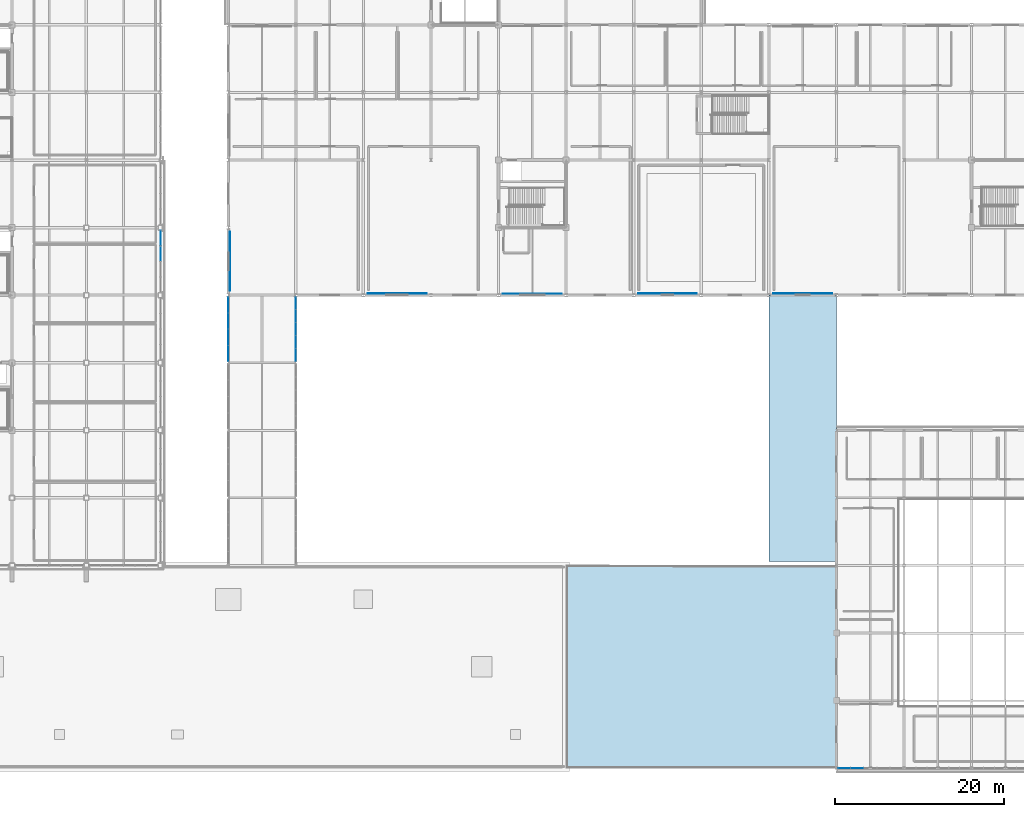
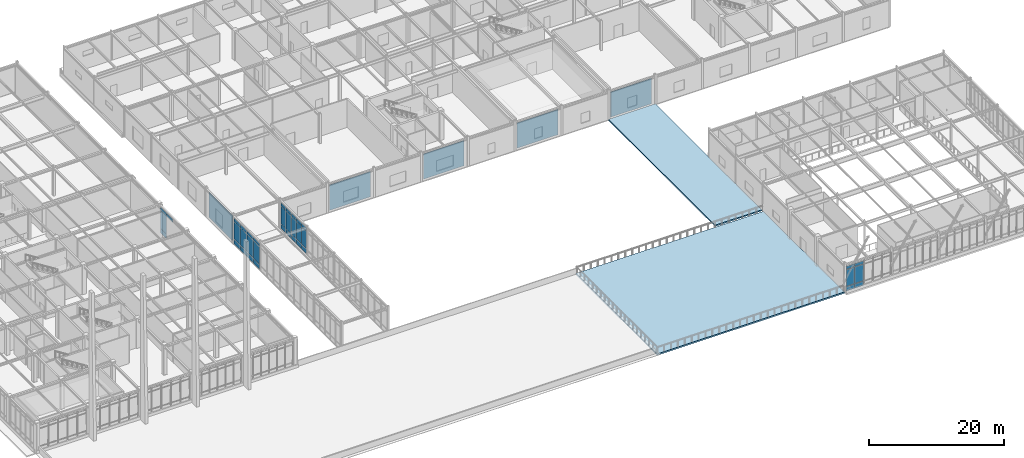
# One storey, part 63 of 108: 42 plates, 2 slabs, 4 elements without a shape of their own.
"""IFC4 building model written with IfcOpenShell, lengths in metres."""

from ifc_helpers import new_model, si_unit, direction, frame, origin, origin_2d, place, context, subcontext, project, spatial, polyline, rectangle, outline, extrude, material, layer, layer_set, type_object, element, aggregate, save


model = new_model("IFC4")

# Units and contexts
model_context = context("Model", 3, precision=1e-05, world=origin(), true_north=direction((0.0, 1.0)))
body_context = subcontext(model_context, "Body", "Model", "MODEL_VIEW")
ifc_project = project(units=[si_unit("LENGTHUNIT", "METRE"), si_unit("AREAUNIT", "SQUARE_METRE"), si_unit("VOLUMEUNIT", "CUBIC_METRE"), si_unit("PLANEANGLEUNIT", "RADIAN"), si_unit("MASSUNIT", "GRAM", prefix="KILO")], contexts=[model_context])

# Site, building, storey
site_placement = place(None, origin())
site = spatial("IfcSite", under=ifc_project, at=site_placement, CompositionType="ELEMENT")
building_placement = place(site_placement, origin())
building = spatial("IfcBuilding", under=site, at=building_placement, Name="Zhaolan Boulevard Law Courts", CompositionType="ELEMENT")
storey_placement = place(building_placement, frame((0.0, 0.0, 10.800048828125)))
storey = spatial("IfcBuildingStorey", under=building, at=storey_placement, Name="L02", CompositionType="ELEMENT", Elevation=10.800048828125)

# Curtain wall, plates
ifc_material_1 = material(Name="Thermally broken aluminium and low-E glazing", Category="aluminium")
curtain_wall_type_1 = type_object("IfcCurtainWallType", Name="CURTAIN WALL M10", PredefinedType="USERDEFINED", material=ifc_material_1)
curtain_wall_1_placement = place(storey_placement, origin())
curtain_wall_1 = element("IfcCurtainWall", 1, at=curtain_wall_1_placement, inside=storey, type_object=curtain_wall_type_1, Name="Curtain Wall CW-L02-082", ObjectType="CURTAIN WALL", PredefinedType="USERDEFINED")
ifc_material_2 = material(Name="Triple-silver low-E insulated glazing", Category="glass")
ifc_layer_1 = layer(ifc_material_2, 0.028076171875)
ifc_layer_set_1 = layer_set([ifc_layer_1])
plate_type_1 = type_object("IfcPlateType", Name="CWPANEL LOW E28", PredefinedType="CURTAIN_PANEL", material=ifc_layer_set_1)
plate_1_placement = place(storey_placement, frame((124.91796875, 6.0, 0.06494140625), z_axis=(0.0, 0.0, 1.0), x_axis=(1.0, 0.0, 0.0)))
plate_1 = element("IfcPlate", 2, at=plate_1_placement, type_object=plate_type_1, Name="CW-L02-082 panel 1.1", PredefinedType="CURTAIN_PANEL", context=body_context, shape_type="SweptSolid", body=[
    extrude(rectangle(XDim=1.45166015625, YDim=0.028076171875, at=origin_2d()), origin(), (0.0, 0.0, 1.0), 0.802490234375),
])
plate_2_placement = place(storey_placement, frame((124.91796875, 6.0, 0.9326171875), z_axis=(0.0, 0.0, 1.0), x_axis=(1.0, 0.0, 0.0)))
plate_2 = element("IfcPlate", 3, at=plate_2_placement, type_object=plate_type_1, Name="CW-L02-082 panel 1.2", PredefinedType="CURTAIN_PANEL", context=body_context, shape_type="SweptSolid", body=[
    extrude(rectangle(XDim=1.45166015625, YDim=0.028076171875, at=origin_2d()), origin(), (0.0, 0.0, 1.0), 2.988037109375),
])
plate_3_placement = place(storey_placement, frame((124.91796875, 6.0, 3.9853515625), z_axis=(0.0, 0.0, 1.0), x_axis=(1.0, 0.0, 0.0)))
plate_3 = element("IfcPlate", 4, at=plate_3_placement, type_object=plate_type_1, Name="CW-L02-082 panel 1.3", PredefinedType="CURTAIN_PANEL", context=body_context, shape_type="SweptSolid", body=[
    extrude(rectangle(XDim=1.45166015625, YDim=0.028076171875, at=origin_2d()), origin(), (0.0, 0.0, 1.0), 0.552490234375),
])
plate_4_placement = place(storey_placement, frame((126.45068359375, 6.0, 0.06494140625), z_axis=(0.0, 0.0, 1.0), x_axis=(1.0, 0.0, 0.0)))
plate_4 = element("IfcPlate", 5, at=plate_4_placement, type_object=plate_type_1, Name="CW-L02-082 panel 2.1", PredefinedType="CURTAIN_PANEL", context=body_context, shape_type="SweptSolid", body=[
    extrude(rectangle(XDim=1.484130859375, YDim=0.028076171875, at=origin_2d()), origin(), (0.0, 0.0, 1.0), 0.802490234375),
])
plate_5_placement = place(storey_placement, frame((126.45068359375, 6.0, 0.9326171875), z_axis=(0.0, 0.0, 1.0), x_axis=(1.0, 0.0, 0.0)))
plate_5 = element("IfcPlate", 6, at=plate_5_placement, type_object=plate_type_1, Name="CW-L02-082 panel 2.2", PredefinedType="CURTAIN_PANEL", context=body_context, shape_type="SweptSolid", body=[
    extrude(rectangle(XDim=1.484130859375, YDim=0.028076171875, at=origin_2d()), origin(), (0.0, 0.0, 1.0), 2.988037109375),
])
plate_6_placement = place(storey_placement, frame((126.45068359375, 6.0, 3.9853515625), z_axis=(0.0, 0.0, 1.0), x_axis=(1.0, 0.0, 0.0)))
plate_6 = element("IfcPlate", 7, at=plate_6_placement, type_object=plate_type_1, Name="CW-L02-082 panel 2.3", PredefinedType="CURTAIN_PANEL", context=body_context, shape_type="SweptSolid", body=[
    extrude(rectangle(XDim=1.484130859375, YDim=0.028076171875, at=origin_2d()), origin(), (0.0, 0.0, 1.0), 0.552490234375),
])
aggregate(curtain_wall_1, [plate_1, plate_2, plate_3, plate_4, plate_5, plate_6])

ifc_material_3 = material(Name="Thermally broken aluminium and low-E glazing", Category="aluminium")
curtain_wall_type_2 = type_object("IfcCurtainWallType", Name="CURTAIN WALL M23", PredefinedType="USERDEFINED", material=ifc_material_3)
curtain_wall_2_placement = place(storey_placement, origin())
curtain_wall_2 = element("IfcCurtainWall", 8, at=curtain_wall_2_placement, inside=storey, type_object=curtain_wall_type_2, Name="Curtain Wall CW-L02-095", ObjectType="CURTAIN WALL", PredefinedType="USERDEFINED")
plate_7_placement = place(storey_placement, frame((52.0, 60.8447265625, 0.06494140625), z_axis=(0.0, 0.0, 1.0), x_axis=(0.0, -1.0, 0.0)))
plate_7 = element("IfcPlate", 9, at=plate_7_placement, type_object=plate_type_1, Name="CW-L02-095 panel 1.1", PredefinedType="CURTAIN_PANEL", context=body_context, shape_type="SweptSolid", body=[
    extrude(rectangle(XDim=1.826416015625, YDim=0.028076171875, at=origin_2d()), origin(), (0.0, 0.0, 1.0), 0.802490234375),
])
plate_8_placement = place(storey_placement, frame((52.0, 60.8447265625, 0.932373046875), z_axis=(0.0, 0.0, 1.0), x_axis=(0.0, -1.0, 0.0)))
plate_8 = element("IfcPlate", 10, at=plate_8_placement, type_object=plate_type_1, Name="CW-L02-095 panel 1.2", PredefinedType="CURTAIN_PANEL", context=body_context, shape_type="SweptSolid", body=[
    extrude(rectangle(XDim=1.826416015625, YDim=0.028076171875, at=origin_2d()), origin(), (0.0, 0.0, 1.0), 3.16796875),
])
plate_9_placement = place(storey_placement, frame((52.0, 60.8447265625, 4.16552734375), z_axis=(0.0, 0.0, 1.0), x_axis=(0.0, -1.0, 0.0)))
plate_9 = element("IfcPlate", 11, at=plate_9_placement, type_object=plate_type_1, Name="CW-L02-095 panel 1.3", PredefinedType="CURTAIN_PANEL", context=body_context, shape_type="SweptSolid", body=[
    extrude(rectangle(XDim=1.826416015625, YDim=0.028076171875, at=origin_2d()), origin(), (0.0, 0.0, 1.0), 0.552490234375),
])
plate_10_placement = place(storey_placement, frame((52.0, 58.93701171875, 0.06494140625), z_axis=(0.0, 0.0, 1.0), x_axis=(0.0, -1.0, 0.0)))
plate_10 = element("IfcPlate", 12, at=plate_10_placement, type_object=plate_type_1, Name="CW-L02-095 panel 2.1", PredefinedType="CURTAIN_PANEL", context=body_context, shape_type="SweptSolid", body=[
    extrude(rectangle(XDim=1.85888671875, YDim=0.028076171875, at=origin_2d()), origin(), (0.0, 0.0, 1.0), 0.802490234375),
])
plate_11_placement = place(storey_placement, frame((52.0, 58.93701171875, 0.932373046875), z_axis=(0.0, 0.0, 1.0), x_axis=(0.0, -1.0, 0.0)))
plate_11 = element("IfcPlate", 13, at=plate_11_placement, type_object=plate_type_1, Name="CW-L02-095 panel 2.2", PredefinedType="CURTAIN_PANEL", context=body_context, shape_type="SweptSolid", body=[
    extrude(rectangle(XDim=1.85888671875, YDim=0.028076171875, at=origin_2d()), origin(), (0.0, 0.0, 1.0), 3.16796875),
])
plate_12_placement = place(storey_placement, frame((52.0, 58.93701171875, 4.16552734375), z_axis=(0.0, 0.0, 1.0), x_axis=(0.0, -1.0, 0.0)))
plate_12 = element("IfcPlate", 14, at=plate_12_placement, type_object=plate_type_1, Name="CW-L02-095 panel 2.3", PredefinedType="CURTAIN_PANEL", context=body_context, shape_type="SweptSolid", body=[
    extrude(rectangle(XDim=1.85888671875, YDim=0.028076171875, at=origin_2d()), origin(), (0.0, 0.0, 1.0), 0.552490234375),
])
plate_13_placement = place(storey_placement, frame((52.0, 57.012939453125, 0.06494140625), z_axis=(0.0, 0.0, 1.0), x_axis=(0.0, -1.0, 0.0)))
plate_13 = element("IfcPlate", 15, at=plate_13_placement, type_object=plate_type_1, Name="CW-L02-095 panel 3.1", PredefinedType="CURTAIN_PANEL", context=body_context, shape_type="SweptSolid", body=[
    extrude(rectangle(XDim=1.85888671875, YDim=0.028076171875, at=origin_2d()), origin(), (0.0, 0.0, 1.0), 0.802490234375),
])
plate_14_placement = place(storey_placement, frame((52.0, 57.012939453125, 0.932373046875), z_axis=(0.0, 0.0, 1.0), x_axis=(0.0, -1.0, 0.0)))
plate_14 = element("IfcPlate", 16, at=plate_14_placement, type_object=plate_type_1, Name="CW-L02-095 panel 3.2", PredefinedType="CURTAIN_PANEL", context=body_context, shape_type="SweptSolid", body=[
    extrude(rectangle(XDim=1.85888671875, YDim=0.028076171875, at=origin_2d()), origin(), (0.0, 0.0, 1.0), 3.16796875),
])
plate_15_placement = place(storey_placement, frame((52.0, 57.012939453125, 4.16552734375), z_axis=(0.0, 0.0, 1.0), x_axis=(0.0, -1.0, 0.0)))
plate_15 = element("IfcPlate", 17, at=plate_15_placement, type_object=plate_type_1, Name="CW-L02-095 panel 3.3", PredefinedType="CURTAIN_PANEL", context=body_context, shape_type="SweptSolid", body=[
    extrude(rectangle(XDim=1.85888671875, YDim=0.028076171875, at=origin_2d()), origin(), (0.0, 0.0, 1.0), 0.552490234375),
])
plate_16_placement = place(storey_placement, frame((52.0, 55.105224609375, 0.06494140625), z_axis=(0.0, 0.0, 1.0), x_axis=(0.0, -1.0, 0.0)))
plate_16 = element("IfcPlate", 18, at=plate_16_placement, type_object=plate_type_1, Name="CW-L02-095 panel 4.1", PredefinedType="CURTAIN_PANEL", context=body_context, shape_type="SweptSolid", body=[
    extrude(rectangle(XDim=1.826416015625, YDim=0.028076171875, at=origin_2d()), origin(), (0.0, 0.0, 1.0), 0.802490234375),
])
plate_17_placement = place(storey_placement, frame((52.0, 55.105224609375, 0.932373046875), z_axis=(0.0, 0.0, 1.0), x_axis=(0.0, -1.0, 0.0)))
plate_17 = element("IfcPlate", 19, at=plate_17_placement, type_object=plate_type_1, Name="CW-L02-095 panel 4.2", PredefinedType="CURTAIN_PANEL", context=body_context, shape_type="SweptSolid", body=[
    extrude(rectangle(XDim=1.826416015625, YDim=0.028076171875, at=origin_2d()), origin(), (0.0, 0.0, 1.0), 3.16796875),
])
plate_18_placement = place(storey_placement, frame((52.0, 55.105224609375, 4.16552734375), z_axis=(0.0, 0.0, 1.0), x_axis=(0.0, -1.0, 0.0)))
plate_18 = element("IfcPlate", 20, at=plate_18_placement, type_object=plate_type_1, Name="CW-L02-095 panel 4.3", PredefinedType="CURTAIN_PANEL", context=body_context, shape_type="SweptSolid", body=[
    extrude(rectangle(XDim=1.826416015625, YDim=0.028076171875, at=origin_2d()), origin(), (0.0, 0.0, 1.0), 0.552490234375),
])
aggregate(curtain_wall_2, [plate_7, plate_8, plate_9, plate_10, plate_11, plate_12, plate_13, plate_14, plate_15, plate_16, plate_17, plate_18])

ifc_material_4 = material(Name="Thermally broken aluminium and low-E glazing", Category="aluminium")
curtain_wall_type_3 = type_object("IfcCurtainWallType", Name="CURTAIN WALL M3", PredefinedType="USERDEFINED", material=ifc_material_4)
curtain_wall_3_placement = place(storey_placement, origin())
curtain_wall_3 = element("IfcCurtainWall", 21, at=curtain_wall_3_placement, inside=storey, type_object=curtain_wall_type_3, Name="Curtain Wall CW-L02-099", ObjectType="CURTAIN WALL", PredefinedType="USERDEFINED")
plate_19_placement = place(storey_placement, frame((60.0, 54.912841796875, 0.06494140625), z_axis=(0.0, 0.0, 1.0), x_axis=(0.0, 1.0, 0.0)))
plate_19 = element("IfcPlate", 22, at=plate_19_placement, type_object=plate_type_1, Name="CW-L02-099 panel 1.1", PredefinedType="CURTAIN_PANEL", context=body_context, shape_type="SweptSolid", body=[
    extrude(rectangle(XDim=1.441650390625, YDim=0.028076171875, at=origin_2d()), origin(), (0.0, 0.0, 1.0), 0.802490234375),
])
plate_20_placement = place(storey_placement, frame((60.0, 54.912841796875, 0.932373046875), z_axis=(0.0, 0.0, 1.0), x_axis=(0.0, 1.0, 0.0)))
plate_20 = element("IfcPlate", 23, at=plate_20_placement, type_object=plate_type_1, Name="CW-L02-099 panel 1.2", PredefinedType="CURTAIN_PANEL", context=body_context, shape_type="SweptSolid", body=[
    extrude(rectangle(XDim=1.441650390625, YDim=0.028076171875, at=origin_2d()), origin(), (0.0, 0.0, 1.0), 3.16796875),
])
plate_21_placement = place(storey_placement, frame((60.0, 54.912841796875, 4.16552734375), z_axis=(0.0, 0.0, 1.0), x_axis=(0.0, 1.0, 0.0)))
plate_21 = element("IfcPlate", 24, at=plate_21_placement, type_object=plate_type_1, Name="CW-L02-099 panel 1.3", PredefinedType="CURTAIN_PANEL", context=body_context, shape_type="SweptSolid", body=[
    extrude(rectangle(XDim=1.441650390625, YDim=0.028076171875, at=origin_2d()), origin(), (0.0, 0.0, 1.0), 0.552490234375),
])
plate_22_placement = place(storey_placement, frame((60.0, 56.435791015625, 0.06494140625), z_axis=(0.0, 0.0, 1.0), x_axis=(0.0, 1.0, 0.0)))
plate_22 = element("IfcPlate", 25, at=plate_22_placement, type_object=plate_type_1, Name="CW-L02-099 panel 2.1", PredefinedType="CURTAIN_PANEL", context=body_context, shape_type="SweptSolid", body=[
    extrude(rectangle(XDim=1.47412109375, YDim=0.028076171875, at=origin_2d()), origin(), (0.0, 0.0, 1.0), 0.802490234375),
])
plate_23_placement = place(storey_placement, frame((60.0, 56.435791015625, 0.932373046875), z_axis=(0.0, 0.0, 1.0), x_axis=(0.0, 1.0, 0.0)))
plate_23 = element("IfcPlate", 26, at=plate_23_placement, type_object=plate_type_1, Name="CW-L02-099 panel 2.2", PredefinedType="CURTAIN_PANEL", context=body_context, shape_type="SweptSolid", body=[
    extrude(rectangle(XDim=1.47412109375, YDim=0.028076171875, at=origin_2d()), origin(), (0.0, 0.0, 1.0), 3.16796875),
])
plate_24_placement = place(storey_placement, frame((60.0, 56.435791015625, 4.16552734375), z_axis=(0.0, 0.0, 1.0), x_axis=(0.0, 1.0, 0.0)))
plate_24 = element("IfcPlate", 27, at=plate_24_placement, type_object=plate_type_1, Name="CW-L02-099 panel 2.3", PredefinedType="CURTAIN_PANEL", context=body_context, shape_type="SweptSolid", body=[
    extrude(rectangle(XDim=1.47412109375, YDim=0.028076171875, at=origin_2d()), origin(), (0.0, 0.0, 1.0), 0.552490234375),
])
plate_25_placement = place(storey_placement, frame((60.0, 57.97509765625, 0.06494140625), z_axis=(0.0, 0.0, 1.0), x_axis=(0.0, 1.0, 0.0)))
plate_25 = element("IfcPlate", 28, at=plate_25_placement, type_object=plate_type_1, Name="CW-L02-099 panel 3.1", PredefinedType="CURTAIN_PANEL", context=body_context, shape_type="SweptSolid", body=[
    extrude(rectangle(XDim=1.47412109375, YDim=0.028076171875, at=origin_2d()), origin(), (0.0, 0.0, 1.0), 0.802490234375),
])
plate_26_placement = place(storey_placement, frame((60.0, 57.97509765625, 0.932373046875), z_axis=(0.0, 0.0, 1.0), x_axis=(0.0, 1.0, 0.0)))
plate_26 = element("IfcPlate", 29, at=plate_26_placement, type_object=plate_type_1, Name="CW-L02-099 panel 3.2", PredefinedType="CURTAIN_PANEL", context=body_context, shape_type="SweptSolid", body=[
    extrude(rectangle(XDim=1.47412109375, YDim=0.028076171875, at=origin_2d()), origin(), (0.0, 0.0, 1.0), 3.16796875),
])
plate_27_placement = place(storey_placement, frame((60.0, 57.97509765625, 4.16552734375), z_axis=(0.0, 0.0, 1.0), x_axis=(0.0, 1.0, 0.0)))
plate_27 = element("IfcPlate", 30, at=plate_27_placement, type_object=plate_type_1, Name="CW-L02-099 panel 3.3", PredefinedType="CURTAIN_PANEL", context=body_context, shape_type="SweptSolid", body=[
    extrude(rectangle(XDim=1.47412109375, YDim=0.028076171875, at=origin_2d()), origin(), (0.0, 0.0, 1.0), 0.552490234375),
])
plate_28_placement = place(storey_placement, frame((60.0, 59.51416015625, 0.06494140625), z_axis=(0.0, 0.0, 1.0), x_axis=(0.0, 1.0, 0.0)))
plate_28 = element("IfcPlate", 31, at=plate_28_placement, type_object=plate_type_1, Name="CW-L02-099 panel 4.1", PredefinedType="CURTAIN_PANEL", context=body_context, shape_type="SweptSolid", body=[
    extrude(rectangle(XDim=1.47412109375, YDim=0.028076171875, at=origin_2d()), origin(), (0.0, 0.0, 1.0), 0.802490234375),
])
plate_29_placement = place(storey_placement, frame((60.0, 59.51416015625, 0.932373046875), z_axis=(0.0, 0.0, 1.0), x_axis=(0.0, 1.0, 0.0)))
plate_29 = element("IfcPlate", 32, at=plate_29_placement, type_object=plate_type_1, Name="CW-L02-099 panel 4.2", PredefinedType="CURTAIN_PANEL", context=body_context, shape_type="SweptSolid", body=[
    extrude(rectangle(XDim=1.47412109375, YDim=0.028076171875, at=origin_2d()), origin(), (0.0, 0.0, 1.0), 3.16796875),
])
plate_30_placement = place(storey_placement, frame((60.0, 59.51416015625, 4.16552734375), z_axis=(0.0, 0.0, 1.0), x_axis=(0.0, 1.0, 0.0)))
plate_30 = element("IfcPlate", 33, at=plate_30_placement, type_object=plate_type_1, Name="CW-L02-099 panel 4.3", PredefinedType="CURTAIN_PANEL", context=body_context, shape_type="SweptSolid", body=[
    extrude(rectangle(XDim=1.47412109375, YDim=0.028076171875, at=origin_2d()), origin(), (0.0, 0.0, 1.0), 0.552490234375),
])
plate_31_placement = place(storey_placement, frame((60.0, 61.037109375, 0.06494140625), z_axis=(0.0, 0.0, 1.0), x_axis=(0.0, 1.0, 0.0)))
plate_31 = element("IfcPlate", 34, at=plate_31_placement, type_object=plate_type_1, Name="CW-L02-099 panel 5.1", PredefinedType="CURTAIN_PANEL", context=body_context, shape_type="SweptSolid", body=[
    extrude(rectangle(XDim=1.441650390625, YDim=0.028076171875, at=origin_2d()), origin(), (0.0, 0.0, 1.0), 0.802490234375),
])
plate_32_placement = place(storey_placement, frame((60.0, 61.037109375, 0.932373046875), z_axis=(0.0, 0.0, 1.0), x_axis=(0.0, 1.0, 0.0)))
plate_32 = element("IfcPlate", 35, at=plate_32_placement, type_object=plate_type_1, Name="CW-L02-099 panel 5.2", PredefinedType="CURTAIN_PANEL", context=body_context, shape_type="SweptSolid", body=[
    extrude(rectangle(XDim=1.441650390625, YDim=0.028076171875, at=origin_2d()), origin(), (0.0, 0.0, 1.0), 3.16796875),
])
plate_33_placement = place(storey_placement, frame((60.0, 61.037109375, 4.16552734375), z_axis=(0.0, 0.0, 1.0), x_axis=(0.0, 1.0, 0.0)))
plate_33 = element("IfcPlate", 36, at=plate_33_placement, type_object=plate_type_1, Name="CW-L02-099 panel 5.3", PredefinedType="CURTAIN_PANEL", context=body_context, shape_type="SweptSolid", body=[
    extrude(rectangle(XDim=1.441650390625, YDim=0.028076171875, at=origin_2d()), origin(), (0.0, 0.0, 1.0), 0.552490234375),
])
aggregate(curtain_wall_3, [plate_19, plate_20, plate_21, plate_22, plate_23, plate_24, plate_25, plate_26, plate_27, plate_28, plate_29, plate_30, plate_31, plate_32, plate_33])

ifc_material_5 = material(Name="Thermally broken aluminium and low-E glazing", Category="aluminium")
curtain_wall_type_4 = type_object("IfcCurtainWallType", Name="CURTAIN WALL M22", PredefinedType="USERDEFINED", material=ifc_material_5)
curtain_wall_4_placement = place(storey_placement, origin())
curtain_wall_4 = element("IfcCurtainWall", 37, at=curtain_wall_4_placement, inside=storey, type_object=curtain_wall_type_4, Name="Curtain Wall CW-L02-166", ObjectType="CURTAIN WALL", PredefinedType="USERDEFINED")
plate_34_placement = place(storey_placement, frame((44.0, 66.924560546875, 4.16552734375), z_axis=(0.0, 0.0, 1.0), x_axis=(0.0, 1.0, 0.0)))
plate_34 = element("IfcPlate", 38, at=plate_34_placement, type_object=plate_type_1, Name="CW-L02-166 panel 3.3", PredefinedType="CURTAIN_PANEL", context=body_context, shape_type="SweptSolid", body=[
    extrude(rectangle(XDim=1.783935546875, YDim=0.028076171875, at=origin_2d()), origin(), (0.0, 0.0, 1.0), 0.552490234375),
])
plate_35_placement = place(storey_placement, frame((44.0, 68.75732421875, 0.06494140625), z_axis=(0.0, 0.0, 1.0), x_axis=(0.0, 1.0, 0.0)))
plate_35 = element("IfcPlate", 39, at=plate_35_placement, type_object=plate_type_1, Name="CW-L02-166 panel 4.1", PredefinedType="CURTAIN_PANEL", context=body_context, shape_type="SweptSolid", body=[
    extrude(rectangle(XDim=1.75146484375, YDim=0.028076171875, at=origin_2d()), origin(), (0.0, 0.0, 1.0), 0.802490234375),
])
plate_36_placement = place(storey_placement, frame((44.0, 68.75732421875, 0.932373046875), z_axis=(0.0, 0.0, 1.0), x_axis=(0.0, 1.0, 0.0)))
plate_36 = element("IfcPlate", 40, at=plate_36_placement, type_object=plate_type_1, Name="CW-L02-166 panel 4.2", PredefinedType="CURTAIN_PANEL", context=body_context, shape_type="SweptSolid", body=[
    extrude(rectangle(XDim=1.75146484375, YDim=0.028076171875, at=origin_2d()), origin(), (0.0, 0.0, 1.0), 3.16796875),
])
plate_37_placement = place(storey_placement, frame((44.0, 68.75732421875, 4.16552734375), z_axis=(0.0, 0.0, 1.0), x_axis=(0.0, 1.0, 0.0)))
plate_37 = element("IfcPlate", 41, at=plate_37_placement, type_object=plate_type_1, Name="CW-L02-166 panel 4.3", PredefinedType="CURTAIN_PANEL", context=body_context, shape_type="SweptSolid", body=[
    extrude(rectangle(XDim=1.75146484375, YDim=0.028076171875, at=origin_2d()), origin(), (0.0, 0.0, 1.0), 0.552490234375),
])
aggregate(curtain_wall_4, [plate_34, plate_35, plate_36, plate_37])

# Slab
ifc_material_6 = material(Name="Concrete C40", Category="concrete")
ifc_layer_2 = layer(ifc_material_6, 0.22998046875)
ifc_layer_set_2 = layer_set([ifc_layer_2])
slab_type_1 = type_object("IfcSlabType", Name="PENTHOUSE ROOF 230", PredefinedType="ROOF", material=ifc_layer_set_2)
slab_1_placement = place(storey_placement, frame((0.0, 0.0, -0.22998046875)))
element("IfcSlab", 42, at=slab_1_placement, inside=storey, type_object=slab_type_1, Name="Slab SLB-L02-BR2RF", PredefinedType="ROOF", context=body_context, shape_type="SweptSolid", body=[
    extrude(outline(polyline([(116.0, 30.449951171875), (124.0, 30.449951171875), (124.0, 62.0), (116.0, 62.0), (116.0, 30.449951171875)])), origin(), (0.0, 0.0, 1.0), 0.22998046875),
])

# Plates
ifc_material_7 = material(Name="Pale mist-grey standing-seam Al-Mg-Mn zinc-titanium")
ifc_layer_3 = layer(ifc_material_7, 0.0400390625)
ifc_layer_set_3 = layer_set([ifc_layer_3])
plate_type_2 = type_object("IfcPlateType", Name="STANDING SEAM PLATE 40", PredefinedType="SHEET", material=ifc_layer_set_3)
plate_38_placement = place(storey_placement, frame((88.0, 62.169921875, 0.099365234375), z_axis=(0.0, 0.0, 1.0), x_axis=(1.0, 0.0, 0.0)))
element("IfcPlate", 43, at=plate_38_placement, inside=storey, type_object=plate_type_2, Name="Standing-Seam Metal Wall Cladding SSP-L02-240", PredefinedType="SHEET", context=body_context, shape_type="SweptSolid", body=[
    extrude(rectangle(XDim=6.9599609375, YDim=0.0400390625, at=origin_2d()), origin(), (0.0, 0.0, 1.0), 4.56298828125),
])
ifc_material_8 = material(Name="Pale mist-grey standing-seam Al-Mg-Mn zinc-titanium")
ifc_layer_4 = layer(ifc_material_8, 0.050048828125)
ifc_layer_set_4 = layer_set([ifc_layer_4])
plate_type_3 = type_object("IfcPlateType", Name="STANDING SEAM PLATE 50", PredefinedType="SHEET", material=ifc_layer_set_4)
plate_39_placement = place(storey_placement, frame((104.0, 62.175048828125, 0.099365234375), z_axis=(0.0, 0.0, 1.0), x_axis=(1.0, 0.0, 0.0)))
element("IfcPlate", 44, at=plate_39_placement, inside=storey, type_object=plate_type_3, Name="Standing-Seam Metal Wall Cladding SSP-L02-242", PredefinedType="SHEET", context=body_context, shape_type="SweptSolid", body=[
    extrude(rectangle(XDim=6.9599609375, YDim=0.050048828125, at=origin_2d()), origin(), (0.0, 0.0, 1.0), 4.56298828125),
])
ifc_material_9 = material(Name="Pale mist-grey standing-seam Al-Mg-Mn zinc-titanium")
ifc_layer_5 = layer(ifc_material_9, 0.06005859375)
ifc_layer_set_5 = layer_set([ifc_layer_5])
plate_type_4 = type_object("IfcPlateType", Name="STANDING SEAM PLATE 60", PredefinedType="SHEET", material=ifc_layer_set_5)
for number, where, z_axis, x_axis, name in (
    (45, (72.0, 62.179931640625, 0.099365234375), (0.0, 0.0, 1.0), (1.0, 0.0, 0.0), "Standing-Seam Metal Wall Cladding SSP-L02-238"),
    (46, (120.0, 62.179931640625, 0.099365234375), (0.0, 0.0, 1.0), (1.0, 0.0, 0.0), "Standing-Seam Metal Wall Cladding SSP-L02-244"),
    (47, (52.179931640625, 66.0, 0.099365234375), (0.0, 0.0, 1.0), (0.0, -1.0, 0.0), "Standing-Seam Metal Wall Cladding SSP-L02-262"),
):
    element("IfcPlate", number, at=place(storey_placement, frame(where, z_axis=z_axis, x_axis=x_axis)), inside=storey, type_object=plate_type_4, Name=name, PredefinedType="SHEET", context=body_context, shape_type="SweptSolid", body=[
        extrude(rectangle(XDim=6.9599609375, YDim=0.06005859375, at=origin_2d()), origin(), (0.0, 0.0, 1.0), 4.56298828125),
    ])

# Slab
ifc_material_10 = material(Name="Concrete C40", Category="concrete")
ifc_layer_6 = layer(ifc_material_10, 0.260009765625)
ifc_layer_set_6 = layer_set([ifc_layer_6])
slab_type_2 = type_object("IfcSlabType", Name="TERRACE SLAB 260", PredefinedType="FLOOR", material=ifc_layer_set_6)
slab_2_placement = place(storey_placement, frame((0.0, 0.0, -0.260009765625)))
element("IfcSlab", 48, at=slab_2_placement, inside=storey, type_object=slab_type_2, Name="Slab SLB-L02-TER", PredefinedType="FLOOR", context=body_context, shape_type="SweptSolid", body=[
    extrude(outline(polyline([(92.0, 6.0), (124.0, 6.0), (124.0, 30.0), (92.0, 30.0), (92.0, 6.0)])), origin(), (0.0, 0.0, 1.0), 0.260009765625),
])

save(model, "model.ifc")
